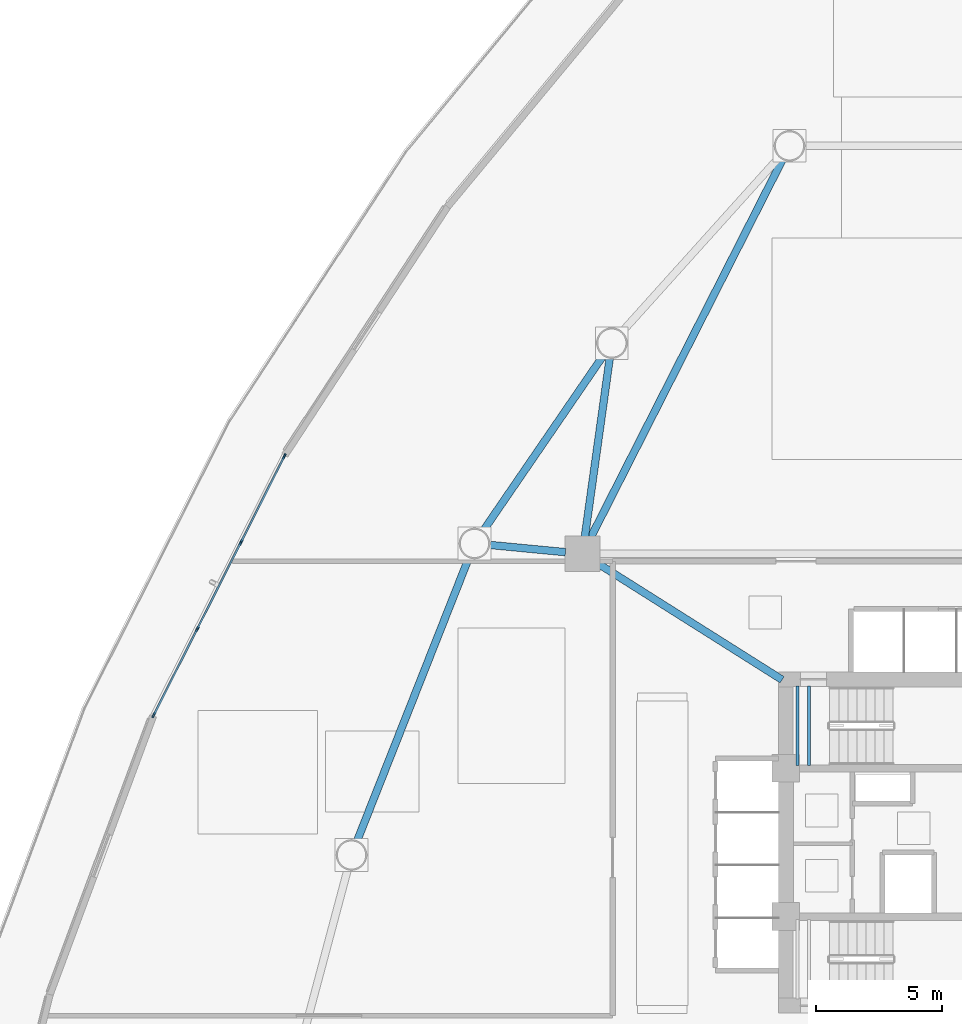
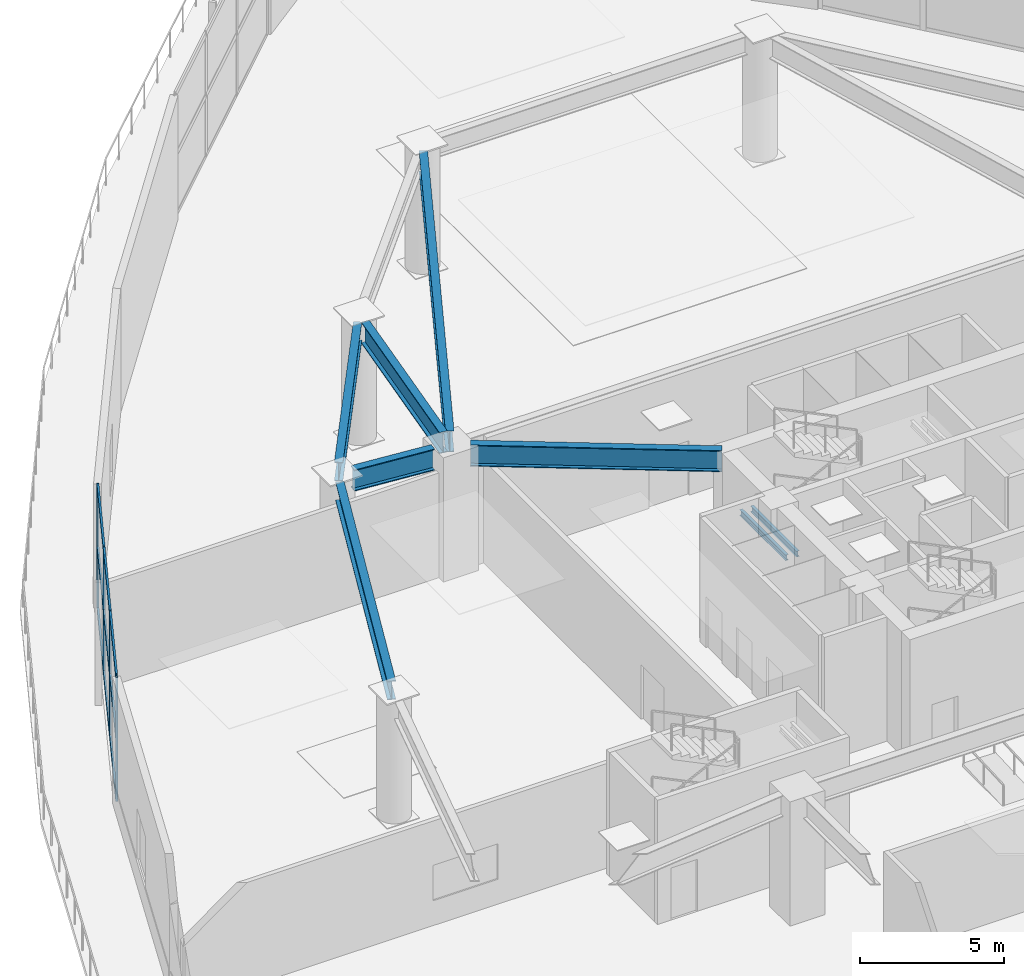
# One storey, part 5 of 26: 13 members, 8 beams, 1 element without a shape of its own.
"""IFC4 building model written with IfcOpenShell, lengths in metres."""

import ifcopenshell
import ifcopenshell.guid

model = None  # the IFC model being written
_history = None  # IfcOwnerHistory: only IFC2X3 demands one
_inside = {}  # id of a spatial element -> (the spatial element, [elements in it])
_under = {}  # id of a project, library or spatial element -> (it, [spatial elements below it])
_declared = {}  # id of a project -> (the project, [libraries it declares])
_typed = {}  # id of a type object -> (the type object, [elements of that type])
_made_of = {}  # id of a material, layer set ... -> (it, [elements and type objects made of it])


def new_model(schema):
    """Start an empty IFC model of exactly this schema.

    Asked for "IFC4X3", IfcOpenShell would pick the latest addendum, in which some entities
    have other attributes; the version numbers below select the first issue.
    IFC2X3 requires an IfcOwnerHistory on every rooted entity: one is made here for all.
    """
    global model, _history
    if schema == "IFC4X3":
        model = ifcopenshell.file(schema_version=(4, 3, 0, 0))
    else:
        model = ifcopenshell.file(schema=schema)
    _inside.clear()
    _under.clear()
    _declared.clear()
    _typed.clear()
    _made_of.clear()
    _history = None
    if model.schema == "IFC2X3":
        org = make("IfcOrganization", Name="unknown")
        user = make(
            "IfcPersonAndOrganization",
            ThePerson=make("IfcPerson", FamilyName="unknown"),
            TheOrganization=org,
        )
        app = make(
            "IfcApplication",
            ApplicationDeveloper=org,
            Version="unknown",
            ApplicationFullName="unknown",
            ApplicationIdentifier="unknown",
        )
        _history = make(
            "IfcOwnerHistory",
            OwningUser=user,
            OwningApplication=app,
            ChangeAction="ADDED",
            CreationDate=0,
        )
    return model


def make(cls, **values):
    """One entity of the class cls with the attributes given. An attribute that is None is left unset."""
    return model.create_entity(
        cls, **{name: value for name, value in values.items() if value is not None}
    )


def rooted(cls, **values):
    """An entity with a GlobalId (a new one), such as an element, a storey or a relation."""
    return make(cls, GlobalId=ifcopenshell.guid.new(), OwnerHistory=_history, **values)


def si_unit(unit_type, name, prefix=None):
    """IfcSIUnit, for example si_unit("LENGTHUNIT", "METRE", prefix="MILLI")."""
    return make("IfcSIUnit", UnitType=unit_type, Prefix=prefix, Name=name)


def assignment(units):
    """IfcUnitAssignment: the units of a project."""
    return None if units is None else make("IfcUnitAssignment", Units=units)


def point(xyz):
    """IfcCartesianPoint."""
    return None if xyz is None else make("IfcCartesianPoint", Coordinates=xyz)


def direction(xyz):
    """IfcDirection."""
    return None if xyz is None else make("IfcDirection", DirectionRatios=xyz)


def frame(location, z_axis=None, x_axis=None):
    """IfcAxis2Placement3D, a coordinate frame: its origin and axes. An axis left out is left unset."""
    return make(
        "IfcAxis2Placement3D",
        Location=point(location),
        Axis=direction(z_axis),
        RefDirection=direction(x_axis),
    )


def frame_2d(location, x_axis=None):
    """IfcAxis2Placement2D, a coordinate frame in the plane: its origin and x axis."""
    return make(
        "IfcAxis2Placement2D", Location=point(location), RefDirection=direction(x_axis)
    )


def origin():
    """The frame at (0, 0, 0) with its axes left unset."""
    return frame((0.0, 0.0, 0.0))


def origin_2d():
    """The frame at (0, 0) in the plane with its x axis left unset."""
    return frame_2d((0.0, 0.0))


def place(relative_to, where):
    """IfcLocalPlacement: puts the frame where relative to a parent placement (None: the world)."""
    return make(
        "IfcLocalPlacement", PlacementRelTo=relative_to, RelativePlacement=where
    )


def context(
    kind, dimensions, precision=None, world=None, true_north=None, identifier=None
):
    """IfcGeometricRepresentationContext, for example the 3D "Model" context."""
    return make(
        "IfcGeometricRepresentationContext",
        ContextIdentifier=identifier,
        ContextType=kind,
        CoordinateSpaceDimension=dimensions,
        Precision=precision,
        WorldCoordinateSystem=world,
        TrueNorth=true_north,
    )


def subcontext(parent, identifier, kind, view, scale=None):
    """IfcGeometricRepresentationSubContext, for example "Body" below "Model"."""
    return make(
        "IfcGeometricRepresentationSubContext",
        ContextIdentifier=identifier,
        ContextType=kind,
        ParentContext=parent,
        TargetScale=scale,
        TargetView=view,
    )


def project(units=None, contexts=None):
    """IfcProject with its units and contexts."""
    return rooted(
        "IfcProject",
        Name="project",
        RepresentationContexts=contexts,
        UnitsInContext=assignment(units),
    )


def spatial(cls, under=None, at=None, **own):
    """A site, building, storey or space (cls), placed at a placement, below another one or the project."""
    s = rooted(cls, ObjectPlacement=at, **own)
    if under is not None:
        _under.setdefault(under.id(), (under, []))[1].append(s)
    return s


def profile(cls, at=None, kind="AREA", **sizes):
    """A parametric profile (cls). Its sizes go by their IFC names, for example OverallWidth=200.0."""
    return make(cls, ProfileType=kind, Position=at, **sizes)


def hollow_rectangle(**sizes):
    """IfcRectangleHollowProfileDef."""
    return profile("IfcRectangleHollowProfileDef", **sizes)


def i_section(**sizes):
    """IfcIShapeProfileDef."""
    return profile("IfcIShapeProfileDef", **sizes)


def extrude(swept, where, along, depth):
    """IfcExtrudedAreaSolid: the profile swept, set in the frame where, extruded along a direction by depth."""
    return make(
        "IfcExtrudedAreaSolid",
        SweptArea=swept,
        Position=where,
        ExtrudedDirection=direction(along),
        Depth=depth,
    )


def shape(context_of_items, identifier, shape_type, items):
    """IfcShapeRepresentation: the items that make up one representation, for example the "Body"."""
    return make(
        "IfcShapeRepresentation",
        ContextOfItems=context_of_items,
        RepresentationIdentifier=identifier,
        RepresentationType=shape_type,
        Items=items,
    )


def source(mapping_origin, context_of_items, identifier, shape_type, items):
    """IfcRepresentationMap: a shape defined once, which mapped items show again and again."""
    return make(
        "IfcRepresentationMap",
        MappingOrigin=mapping_origin,
        MappedRepresentation=shape(context_of_items, identifier, shape_type, items),
    )


def transform(
    local_origin,
    x_axis=None,
    y_axis=None,
    z_axis=None,
    scale=None,
    scale2=None,
    scale3=None,
    uniform=True,
):
    """IfcCartesianTransformationOperator3D, or its non-uniform kind. x_axis, y_axis, z_axis: its Axis1, 2, 3."""
    if uniform:
        return make(
            "IfcCartesianTransformationOperator3D",
            Axis1=direction(x_axis),
            Axis2=direction(y_axis),
            LocalOrigin=point(local_origin),
            Scale=scale,
            Axis3=direction(z_axis),
        )
    return make(
        "IfcCartesianTransformationOperator3DnonUniform",
        Axis1=direction(x_axis),
        Axis2=direction(y_axis),
        LocalOrigin=point(local_origin),
        Scale=scale,
        Axis3=direction(z_axis),
        Scale2=scale2,
        Scale3=scale3,
    )


def mapped(mapping_source, mapping_target):
    """IfcMappedItem: shows the shape of a source again, moved by a transform."""
    return make(
        "IfcMappedItem", MappingSource=mapping_source, MappingTarget=mapping_target
    )


def material(Name=None, Category=None):
    """IfcMaterial."""
    return make("IfcMaterial", Name=Name, Category=Category)


def layer(
    of_material, thickness, ventilated=None, Name=None, Category=None, Priority=None
):
    """IfcMaterialLayer: one layer of a wall or slab, of a material (None: an air gap)."""
    return make(
        "IfcMaterialLayer",
        Material=of_material,
        LayerThickness=thickness,
        IsVentilated=ventilated,
        Name=Name,
        Category=Category,
        Priority=Priority,
    )


def layer_set(layers, Name=None):
    """IfcMaterialLayerSet."""
    return make("IfcMaterialLayerSet", MaterialLayers=layers, LayerSetName=Name)


def material_profile(
    of_material, cross_section, Name=None, Category=None, Priority=None
):
    """IfcMaterialProfile: a cross section and its material."""
    return make(
        "IfcMaterialProfile",
        Name=Name,
        Material=of_material,
        Profile=cross_section,
        Priority=Priority,
        Category=Category,
    )


def profile_set(profiles, Name=None, composite=None):
    """IfcMaterialProfileSet."""
    return make(
        "IfcMaterialProfileSet",
        Name=Name,
        MaterialProfiles=profiles,
        CompositeProfile=composite,
    )


def made_of(thing, what):
    """Note that an element or type object is made of a material, layer set ...; save() writes the relation."""
    if what is not None:
        _made_of.setdefault(what.id(), (what, []))[1].append(thing)
    return thing


def type_object(cls, material=None, **own):
    """A type object (cls), such as IfcWallType, which elements share."""
    return made_of(rooted(cls, **own), material)


def type_shapes(of_type, sources):
    """Give a type object the sources (RepresentationMaps) that its elements show as mapped items."""
    of_type.RepresentationMaps = sources


def element(
    cls,
    number,
    at=None,
    inside=None,
    cuts=None,
    type_object=None,
    material=None,
    context=None,
    identifier="Body",
    shape_type=None,
    held_by="IfcProductDefinitionShape",
    body=None,
    shapes=None,
    **own,
):
    """One element of the class cls, such as IfcWall. Its Tag is "e" and its number.

    at: its placement. inside: the storey or other place that contains it. cuts: it is an
    opening in that element (IfcRelVoidsElement). A single representation is given by context,
    identifier, shape_type and body (its items); several are given by shapes. held_by: the class
    of the entity that holds the representations. save() writes the other relations.
    """
    e = rooted(cls, Tag="e%d" % number, ObjectPlacement=at, **own)
    if body is not None:
        shapes = [shape(context, identifier, shape_type, body)]
    if shapes is not None:
        e.Representation = make(held_by, Representations=shapes)
    if inside is not None:
        _inside.setdefault(inside.id(), (inside, []))[1].append(e)
    if cuts is not None:
        rooted(
            "IfcRelVoidsElement", RelatingBuildingElement=cuts, RelatedOpeningElement=e
        )
    if type_object is not None:
        _typed.setdefault(type_object.id(), (type_object, []))[1].append(e)
    return made_of(e, material)


def aggregate(whole, parts):
    """IfcRelAggregates: a whole, such as a stair, and the parts it consists of."""
    return rooted("IfcRelAggregates", RelatingObject=whole, RelatedObjects=parts)


def save(model, path):
    """Write the relations noted so far, then the file.

    IfcRelAggregates (storeys below a building ...), IfcRelContainedInSpatialStructure (elements
    in a storey), IfcRelDefinesByType, IfcRelAssociatesMaterial and IfcRelDeclares: one each for
    every whole, place, type object, material and project.
    """
    for whole, parts in _under.values():
        aggregate(whole, parts)
    for where, things in _inside.values():
        rooted(
            "IfcRelContainedInSpatialStructure",
            RelatedElements=things,
            RelatingStructure=where,
        )
    for kind, things in _typed.values():
        rooted("IfcRelDefinesByType", RelatedObjects=things, RelatingType=kind)
    for what, things in _made_of.values():
        rooted("IfcRelAssociatesMaterial", RelatedObjects=things, RelatingMaterial=what)
    for by, libraries in _declared.values():
        rooted("IfcRelDeclares", RelatingContext=by, RelatedDefinitions=libraries)
    model.write(path)


model = new_model("IFC4")

# Units and contexts
model_context = context("Model", 3, precision=1e-05, world=origin(), true_north=direction((0.0, 1.0)))
body_context = subcontext(model_context, "Body", "Model", "MODEL_VIEW")
ifc_project = project(units=[si_unit("LENGTHUNIT", "METRE"), si_unit("AREAUNIT", "SQUARE_METRE"), si_unit("VOLUMEUNIT", "CUBIC_METRE"), si_unit("PLANEANGLEUNIT", "RADIAN"), si_unit("MASSUNIT", "GRAM", prefix="KILO")], contexts=[model_context])

# Site, building, storey
site_placement = place(None, origin())
site = spatial("IfcSite", under=ifc_project, at=site_placement, CompositionType="ELEMENT")
building_placement = place(site_placement, origin())
building = spatial("IfcBuilding", under=site, at=building_placement, Name="Tavelor Broadcast Tower", CompositionType="ELEMENT")
storey_placement = place(building_placement, frame((0.0, 0.0, 5.800048828125)))
storey = spatial("IfcBuildingStorey", under=building, at=storey_placement, Name="L01", CompositionType="ELEMENT", Elevation=5.800048828125)

# Beams
ifc_material_1 = material(Name="Steel S355", Category="steel")
ifc_material_profile_1 = material_profile(ifc_material_1, i_section(OverallWidth=0.300048828125, OverallDepth=0.800048828125, WebThickness=0.017578125, FlangeThickness=0.032958984375, at=origin_2d()), Name="HEB 800")
ifc_profile_set_1 = profile_set([ifc_material_profile_1], Name="Steel S355")
beam_type_1 = type_object("IfcBeamType", Name="Podium Spandrel Beam HEB800", PredefinedType="SPANDREL", material=ifc_profile_set_1)
beam_1_placement = place(storey_placement, frame((35.84228515625, 64.414794921875, 4.849853515625), z_axis=(-0.565364008772, -0.82484152271, 0.0), x_axis=(0.82484152271, -0.565364008772, 0.0)))
element("IfcBeam", 1, at=beam_1_placement, inside=storey, type_object=beam_type_1, Name="L01 Podium Spandrel Girder 2", PredefinedType="SPANDREL", context=body_context, shape_type="SweptSolid", body=[
    extrude(i_section(OverallWidth=0.300048828125, OverallDepth=0.800048828125, WebThickness=0.017578125, FlangeThickness=0.032958984375, at=origin_2d()), origin(), (0.0, 0.0, 1.0), 8.516845703125),
])
beam_2_placement = place(storey_placement, frame((30.486083984375, 56.37158203125, 4.849853515625), z_axis=(-0.367164709683, -0.930155941745, 0.0), x_axis=(0.930155941745, -0.367164709683, 0.0)))
element("IfcBeam", 2, at=beam_2_placement, inside=storey, type_object=beam_type_1, Name="L01 Podium Spandrel Girder 3", PredefinedType="SPANDREL", context=body_context, shape_type="SweptSolid", body=[
    extrude(i_section(OverallWidth=0.300048828125, OverallDepth=0.800048828125, WebThickness=0.017578125, FlangeThickness=0.032958984375, at=origin_2d()), origin(), (0.0, 0.0, 1.0), 12.182861328125),
])
ifc_material_profile_2 = material_profile(ifc_material_1, i_section(OverallWidth=0.1201171875, OverallDepth=0.239990234375, WebThickness=0.006103515625, FlangeThickness=0.009765625, at=origin_2d()), Name="IPE 240")
ifc_profile_set_2 = profile_set([ifc_material_profile_2], Name="Steel S355")
beam_type_2 = type_object("IfcBeamType", Name="Stairwell Landing Support Trimmer Beam IPE240", PredefinedType="BEAM", material=ifc_profile_set_2)
for number, where, z_axis, x_axis, name in (
    (3, (43.574951171875, 48.06005859375, 2.48486328125), (0.0, 1.0, 0.0), (-1.0, 0.0, 0.0), "L01 Stair Landing Support Beam 13"),
    (4, (44.014892578125, 48.06005859375, 2.48486328125), (0.0, 1.0, 0.0), (-1.0, 0.0, 0.0), "L01 Stair Landing Support Beam 14"),
):
    element("IfcBeam", number, at=place(storey_placement, frame(where, z_axis=z_axis, x_axis=x_axis)), inside=storey, type_object=beam_type_2, Name=name, PredefinedType="BEAM", context=body_context, shape_type="SweptSolid", body=[
        extrude(i_section(OverallWidth=0.1201171875, OverallDepth=0.239990234375, WebThickness=0.006103515625, FlangeThickness=0.009765625, at=origin_2d()), origin(), (0.0, 0.0, 1.0), 3.179931640625),
    ])
ifc_material_2 = material(Name="Steel S460", Category="steel")
ifc_material_profile_3 = material_profile(ifc_material_2, i_section(OverallWidth=0.300048828125, OverallDepth=0.89990234375, WebThickness=0.0185546875, FlangeThickness=0.034912109375, at=origin_2d()), Name="HEB 900")
ifc_profile_set_3 = profile_set([ifc_material_profile_3], Name="Steel S460")
beam_type_3 = type_object("IfcBeamType", Name="Studio Long-Span Girder HEB900", PredefinedType="BEAM", material=ifc_profile_set_3)
beam_3_placement = place(storey_placement, frame((35.5751953125, 56.13720703125, 4.800048828125), z_axis=(0.845723551993, -0.533621282938, 0.0), x_axis=(0.533621282938, 0.845723551993, 0.0)))
element("IfcBeam", 5, at=beam_3_placement, inside=storey, type_object=beam_type_3, Name="L01 Core Tie Girder 4", PredefinedType="BEAM", context=body_context, shape_type="SweptSolid", body=[
    extrude(i_section(OverallWidth=0.300048828125, OverallDepth=0.89990234375, WebThickness=0.0185546875, FlangeThickness=0.034912109375, at=origin_2d()), origin(), (0.0, 0.0, 1.0), 8.724365234375),
])
beam_4_placement = place(storey_placement, frame((35.3076171875, 57.1064453125, 4.800048828125), z_axis=(0.45254782721, 0.891740132599, 0.0), x_axis=(-0.891740132599, 0.45254782721, 0.0)))
element("IfcBeam", 6, at=beam_4_placement, inside=storey, type_object=beam_type_3, Name="L01 Clear-Span Studio Girder 1", PredefinedType="BEAM", context=body_context, shape_type="SweptSolid", body=[
    extrude(i_section(OverallWidth=0.300048828125, OverallDepth=0.89990234375, WebThickness=0.0185546875, FlangeThickness=0.034912109375, at=origin_2d()), origin(), (0.0, 0.0, 1.0), 16.9638671875),
])
beam_5_placement = place(storey_placement, frame((35.093994140625, 57.173583984375, 4.800048828125), z_axis=(0.138070971987, 0.990422337538, 0.0), x_axis=(-0.990422337538, 0.138070971987, 0.0)))
element("IfcBeam", 7, at=beam_5_placement, inside=storey, type_object=beam_type_3, Name="L01 Clear-Span Studio Girder 2", PredefinedType="BEAM", context=body_context, shape_type="SweptSolid", body=[
    extrude(i_section(OverallWidth=0.300048828125, OverallDepth=0.89990234375, WebThickness=0.0185546875, FlangeThickness=0.034912109375, at=origin_2d()), origin(), (0.0, 0.0, 1.0), 7.21435546875),
])
beam_6_placement = place(storey_placement, frame((34.322998046875, 56.564697265625, 4.800048828125), z_axis=(-0.995460626314, 0.095174268889, 0.0), x_axis=(-0.095174268889, -0.995460626314, 0.0)))
element("IfcBeam", 8, at=beam_6_placement, inside=storey, type_object=beam_type_3, Name="L01 Clear-Span Studio Girder 3", PredefinedType="BEAM", context=body_context, shape_type="SweptSolid", body=[
    extrude(i_section(OverallWidth=0.300048828125, OverallDepth=0.89990234375, WebThickness=0.0185546875, FlangeThickness=0.034912109375, at=origin_2d()), origin(), (0.0, 0.0, 1.0), 3.060302734375),
])

# Curtain wall, members
ifc_material_3 = material(Name="Architectural Anodized Aluminium", Category="aluminium")
ifc_layer = layer(ifc_material_3, 0.219970703125)
ifc_layer_set = layer_set([ifc_layer], Name="Architectural Anodized Aluminium")
curtain_wall_type = type_object("IfcCurtainWallType", Name="Podium Double-Height Broadcast Curtain Wall CW01", PredefinedType="NOTDEFINED", material=ifc_layer_set)
curtain_wall_placement = place(storey_placement, origin())
curtain_wall = element("IfcCurtainWall", 9, at=curtain_wall_placement, inside=storey, type_object=curtain_wall_type, Name="L01 Curtain Wall CW01 Run 2", PredefinedType="NOTDEFINED")
ifc_material_profile_4 = material_profile(ifc_material_3, hollow_rectangle(XDim=0.074951171875, YDim=0.219970703125, WallThickness=0.02197265625, at=origin_2d()), Name="RHS 75x220x22")
ifc_profile_set_4 = profile_set([ifc_material_profile_4], Name="Architectural Anodized Aluminium")
member_type_1 = type_object("IfcMemberType", Name="CW01 Extruded Aluminium Mullion 75x220", PredefinedType="MULLION", material=ifc_profile_set_4)
shared_shape_1 = source(origin(), body_context, "Body", "SweptSolid", [
    extrude(hollow_rectangle(XDim=0.074951171875, YDim=0.219970703125, WallThickness=0.02197265625, at=origin_2d()), origin(), (0.0, 0.0, 1.0), 5.25),
])
type_shapes(member_type_1, [shared_shape_1])
member_1_placement = place(storey_placement, frame((23.124267578125, 60.381103515625, 0.0), z_axis=(0.0, 0.0, 1.0), x_axis=(0.892711237351, -0.450629167617, 0.0)))
member_1 = element("IfcMember", 10, at=member_1_placement, type_object=member_type_1, Name="CW01 mullion 1", PredefinedType="MULLION", context=body_context, shape_type="MappedRepresentation", body=[
    mapped(shared_shape_1, transform((0.0, 0.0, 0.0), scale=1.0)),
])
member_2_placement = place(storey_placement, frame((21.39599609375, 56.95751953125, 0.0), z_axis=(0.0, 0.0, 1.0), x_axis=(0.892711237351, -0.450629167617, 0.0)))
member_2 = element("IfcMember", 11, at=member_2_placement, type_object=member_type_1, Name="CW01 mullion 2", PredefinedType="MULLION", context=body_context, shape_type="MappedRepresentation", body=[
    mapped(shared_shape_1, transform((0.0, 0.0, 0.0), scale=1.0)),
])
member_3_placement = place(storey_placement, frame((19.65087890625, 53.50048828125, 0.0), z_axis=(0.0, 0.0, 1.0), x_axis=(0.892711237351, -0.450629167617, 0.0)))
member_3 = element("IfcMember", 12, at=member_3_placement, type_object=member_type_1, Name="CW01 mullion 3", PredefinedType="MULLION", context=body_context, shape_type="MappedRepresentation", body=[
    mapped(shared_shape_1, transform((0.0, 0.0, 0.0), scale=1.0)),
])
member_4_placement = place(storey_placement, frame((17.922607421875, 50.07666015625, 0.0), z_axis=(0.0, 0.0, 1.0), x_axis=(0.892711237351, -0.450629167617, 0.0)))
member_4 = element("IfcMember", 13, at=member_4_placement, type_object=member_type_1, Name="CW01 mullion 4", PredefinedType="MULLION", context=body_context, shape_type="MappedRepresentation", body=[
    mapped(shared_shape_1, transform((0.0, 0.0, 0.0), scale=1.0)),
])
ifc_material_profile_5 = material_profile(ifc_material_3, hollow_rectangle(XDim=0.074951171875, YDim=0.219970703125, WallThickness=0.02197265625, at=origin_2d()), Name="RHS 75x220x22")
ifc_profile_set_5 = profile_set([ifc_material_profile_5], Name="Architectural Anodized Aluminium")
member_type_2 = type_object("IfcMemberType", Name="CW01 Extruded Aluminium Transom 75x220", PredefinedType="USERDEFINED", material=ifc_profile_set_5)
shared_shape_2 = source(origin(), body_context, "Body", "SweptSolid", [
    extrude(hollow_rectangle(XDim=0.074951171875, YDim=0.219970703125, WallThickness=0.02197265625, at=origin_2d()), origin(), (0.0, 0.0, 1.0), 3.760009765625),
])
member_5_placement = place(storey_placement, frame((23.107421875, 60.34765625, 0.037353515625), z_axis=(-0.450612680485, -0.892719559652, 0.0), x_axis=(0.892719559652, -0.450612680485, 0.0)))
member_5 = element("IfcMember", 14, at=member_5_placement, type_object=member_type_2, Name="CW01 transom 1.1", ObjectType="TRANSOM", PredefinedType="USERDEFINED", context=body_context, shape_type="MappedRepresentation", body=[
    mapped(shared_shape_2, transform((0.0, 0.0, 0.0), scale=1.0)),
])
member_6_placement = place(storey_placement, frame((23.107421875, 60.34765625, 2.625), z_axis=(-0.450612680485, -0.892719559652, 0.0), x_axis=(0.892719559652, -0.450612680485, 0.0)))
member_6 = element("IfcMember", 15, at=member_6_placement, type_object=member_type_2, Name="CW01 transom 1.2", ObjectType="TRANSOM", PredefinedType="USERDEFINED", context=body_context, shape_type="MappedRepresentation", body=[
    mapped(shared_shape_2, transform((0.0, 0.0, 0.0), scale=1.0)),
])
member_7_placement = place(storey_placement, frame((23.107421875, 60.34765625, 5.21240234375), z_axis=(-0.450612680485, -0.892719559652, 0.0), x_axis=(0.892719559652, -0.450612680485, 0.0)))
member_7 = element("IfcMember", 16, at=member_7_placement, type_object=member_type_2, Name="CW01 transom 1.3", ObjectType="TRANSOM", PredefinedType="USERDEFINED", context=body_context, shape_type="MappedRepresentation", body=[
    mapped(shared_shape_2, transform((0.0, 0.0, 0.0), scale=1.0)),
])
member_8_placement = place(storey_placement, frame((19.634033203125, 53.466796875, 0.037353515625), z_axis=(-0.450612680485, -0.892719559652, 0.0), x_axis=(0.892719559652, -0.450612680485, 0.0)))
member_8 = element("IfcMember", 17, at=member_8_placement, type_object=member_type_2, Name="CW01 transom 3.1", ObjectType="TRANSOM", PredefinedType="USERDEFINED", context=body_context, shape_type="MappedRepresentation", body=[
    mapped(shared_shape_2, transform((0.0, 0.0, 0.0), scale=1.0)),
])
member_9_placement = place(storey_placement, frame((19.634033203125, 53.466796875, 2.625), z_axis=(-0.450612680485, -0.892719559652, 0.0), x_axis=(0.892719559652, -0.450612680485, 0.0)))
member_9 = element("IfcMember", 18, at=member_9_placement, type_object=member_type_2, Name="CW01 transom 3.2", ObjectType="TRANSOM", PredefinedType="USERDEFINED", context=body_context, shape_type="MappedRepresentation", body=[
    mapped(shared_shape_2, transform((0.0, 0.0, 0.0), scale=1.0)),
])
member_10_placement = place(storey_placement, frame((19.634033203125, 53.466796875, 5.21240234375), z_axis=(-0.450612680485, -0.892719559652, 0.0), x_axis=(0.892719559652, -0.450612680485, 0.0)))
member_10 = element("IfcMember", 19, at=member_10_placement, type_object=member_type_2, Name="CW01 transom 3.3", ObjectType="TRANSOM", PredefinedType="USERDEFINED", context=body_context, shape_type="MappedRepresentation", body=[
    mapped(shared_shape_2, transform((0.0, 0.0, 0.0), scale=1.0)),
])
shared_shape_3 = source(origin(), body_context, "Body", "SweptSolid", [
    extrude(hollow_rectangle(XDim=0.074951171875, YDim=0.219970703125, WallThickness=0.02197265625, at=origin_2d()), origin(), (0.0, 0.0, 1.0), 3.797607421875),
])
type_shapes(member_type_2, [shared_shape_2, shared_shape_3])
member_11_placement = place(storey_placement, frame((21.379150390625, 56.924072265625, 0.037353515625), z_axis=(-0.450656092187, -0.892697645664, 0.0), x_axis=(0.892697645664, -0.450656092187, 0.0)))
member_11 = element("IfcMember", 20, at=member_11_placement, type_object=member_type_2, Name="CW01 transom 2.1", ObjectType="TRANSOM", PredefinedType="USERDEFINED", context=body_context, shape_type="MappedRepresentation", body=[
    mapped(shared_shape_3, transform((0.0, 0.0, 0.0), scale=1.0)),
])
member_12_placement = place(storey_placement, frame((21.379150390625, 56.924072265625, 2.625), z_axis=(-0.450656092187, -0.892697645664, 0.0), x_axis=(0.892697645664, -0.450656092187, 0.0)))
member_12 = element("IfcMember", 21, at=member_12_placement, type_object=member_type_2, Name="CW01 transom 2.2", ObjectType="TRANSOM", PredefinedType="USERDEFINED", context=body_context, shape_type="MappedRepresentation", body=[
    mapped(shared_shape_3, transform((0.0, 0.0, 0.0), scale=1.0)),
])
member_13_placement = place(storey_placement, frame((21.379150390625, 56.924072265625, 5.21240234375), z_axis=(-0.450656092187, -0.892697645664, 0.0), x_axis=(0.892697645664, -0.450656092187, 0.0)))
member_13 = element("IfcMember", 22, at=member_13_placement, type_object=member_type_2, Name="CW01 transom 2.3", ObjectType="TRANSOM", PredefinedType="USERDEFINED", context=body_context, shape_type="MappedRepresentation", body=[
    mapped(shared_shape_3, transform((0.0, 0.0, 0.0), scale=1.0)),
])
aggregate(curtain_wall, [member_1, member_2, member_3, member_4, member_5, member_6, member_7, member_11, member_12, member_13, member_8, member_9, member_10])

save(model, "model.ifc")
